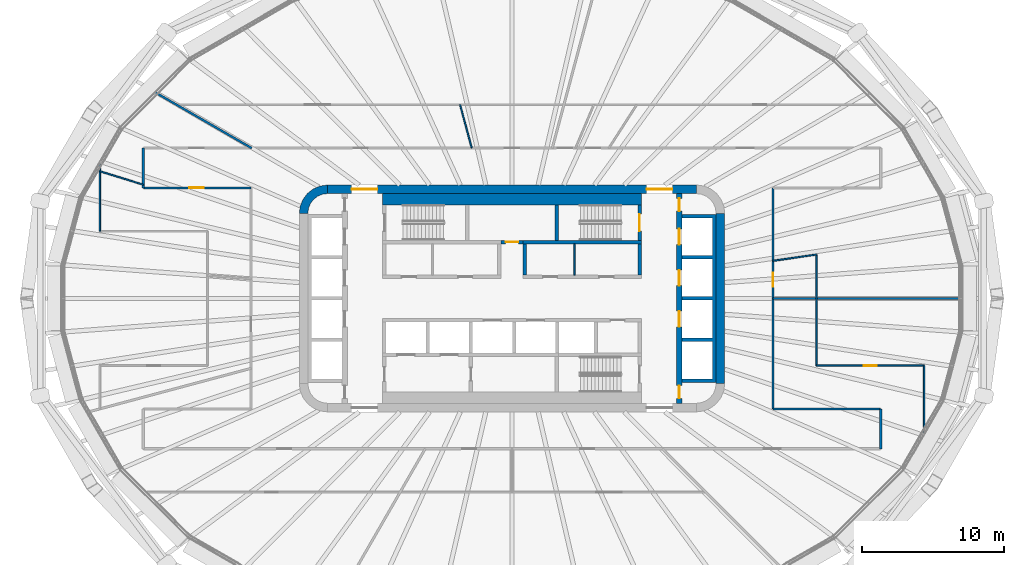
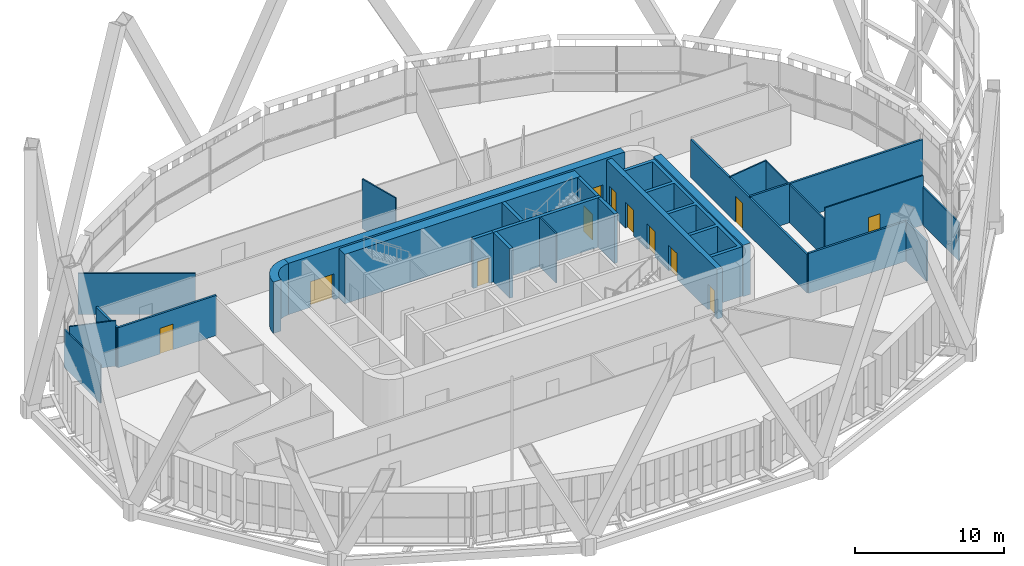
# One storey, part 17 of 26: 27 walls, 12 doors, 12 openings.
"""IFC4 building model written with IfcOpenShell, lengths in metres."""

from ifc_helpers import new_model, si_unit, direction, frame, frame_2d, origin, place, context, subcontext, project, spatial, polyline, rectangle, outline, extrude, material, layer, layer_set, type_object, element, fill, save


model = new_model("IFC4")

# Units and contexts
model_context = context("Model", 3, precision=1e-05, world=origin(), true_north=direction((0.0, 1.0)))
body_context = subcontext(model_context, "Body", "Model", "MODEL_VIEW")
ifc_project = project(units=[si_unit("LENGTHUNIT", "METRE"), si_unit("AREAUNIT", "SQUARE_METRE"), si_unit("VOLUMEUNIT", "CUBIC_METRE"), si_unit("PLANEANGLEUNIT", "RADIAN"), si_unit("MASSUNIT", "GRAM", prefix="KILO")], contexts=[model_context])

# Site, building, storey
site_placement = place(None, origin())
site = spatial("IfcSite", under=ifc_project, at=site_placement, CompositionType="ELEMENT")
building_placement = place(site_placement, origin())
building = spatial("IfcBuilding", under=site, at=building_placement, Name="Sahrelin Media Tower", CompositionType="ELEMENT")
storey_placement = place(building_placement, frame((0.0, 0.0, 131.39990234375)))
storey = spatial("IfcBuildingStorey", under=building, at=storey_placement, Name="L26", CompositionType="ELEMENT", Elevation=131.39990234375)

# Wall, openings, doors
ifc_material_1 = material(Name="Concrete C60/75", Category="concrete")
ifc_layer_1 = layer(ifc_material_1, 0.60009765625)
ifc_layer_set_1 = layer_set([ifc_layer_1], Name="Core wall 600")
wall_type_1 = type_object("IfcWallType", Name="Core wall 600", PredefinedType="SHEAR", material=ifc_layer_set_1)
wall_1_placement = place(storey_placement, frame((-13.0, 7.699951171875, 0.0), z_axis=(0.0, 0.0, 1.0), x_axis=(1.0, 0.0, 0.0)))
wall_1 = element("IfcWall", 1, at=wall_1_placement, inside=storey, type_object=wall_type_1, Name="Core wall N L26", PredefinedType="SHEAR", context=body_context, shape_type="SweptSolid", body=[
    extrude(rectangle(XDim=26.0, YDim=0.60009765625, at=frame_2d((13.0, 0.0))), origin(), (0.0, 0.0, 1.0), 4.2001953125),
])
opening_1_placement = place(wall_1_placement, frame((1.699951171875, 0.0, 0.0)))
opening_1 = element("IfcOpeningElement", 2, at=opening_1_placement, cuts=wall_1, Name="Opening L26-D16", PredefinedType="OPENING", context=body_context, shape_type="SweptSolid", body=[
    extrude(rectangle(XDim=1.800048828125, YDim=2.10009765625, at=frame_2d((0.89990234375, 1.050048828125))), frame((0.0, 0.300048828125, 0.0), z_axis=(0.0, -1.0, 0.0), x_axis=(1.0, 0.0, 0.0)), (0.0, 0.0, 1.0), 0.60009765625),
])
opening_2_placement = place(wall_1_placement, frame((22.5, 0.0, 0.0)))
opening_2 = element("IfcOpeningElement", 3, at=opening_2_placement, cuts=wall_1, Name="Opening L26-D17", PredefinedType="OPENING", context=body_context, shape_type="SweptSolid", body=[
    extrude(rectangle(XDim=1.800048828125, YDim=2.10009765625, at=frame_2d((0.89990234375, 1.050048828125))), frame((0.0, 0.300048828125, 0.0), z_axis=(0.0, -1.0, 0.0), x_axis=(1.0, 0.0, 0.0)), (0.0, 0.0, 1.0), 0.60009765625),
])
ifc_material_2 = material(Name="Steel fire door leaf", Category="steel")
door_type_1 = type_object("IfcDoorType", Name="Lobby double door 1800 x 2100 EI 60", OperationType="DOUBLE_DOOR_SINGLE_SWING", PredefinedType="DOOR", material=ifc_material_2)
door_1_placement = place(opening_1_placement, origin())
door_1 = element("IfcDoor", 4, at=door_1_placement, inside=storey, type_object=door_type_1, Name="Lobby door", OperationType="DOUBLE_DOOR_SINGLE_SWING", OverallHeight=2.10009765625, OverallWidth=1.800048828125, PredefinedType="DOOR", context=body_context, shape_type="SweptSolid", body=[
    extrude(rectangle(XDim=1.800048828125, YDim=2.10009765625, at=frame_2d((0.89990234375, 1.050048828125))), frame((0.0, 0.02490234375, 0.0), z_axis=(0.0, -1.0, 0.0), x_axis=(1.0, 0.0, 0.0)), (0.0, 0.0, 1.0), 0.050048828125),
])
fill(opening_1, door_1)
door_2_placement = place(opening_2_placement, origin())
door_2 = element("IfcDoor", 5, at=door_2_placement, inside=storey, type_object=door_type_1, Name="Lobby door", OperationType="DOUBLE_DOOR_SINGLE_SWING", OverallHeight=2.10009765625, OverallWidth=1.800048828125, PredefinedType="DOOR", context=body_context, shape_type="SweptSolid", body=[
    extrude(rectangle(XDim=1.800048828125, YDim=2.10009765625, at=frame_2d((0.89990234375, 1.050048828125))), frame((0.0, 0.02490234375, 0.0), z_axis=(0.0, -1.0, 0.0), x_axis=(1.0, 0.0, 0.0)), (0.0, 0.0, 1.0), 0.050048828125),
])
fill(opening_2, door_2)

# Walls
wall_2_placement = place(storey_placement, frame((14.699951171875, -6.0, 0.0), z_axis=(0.0, 0.0, 1.0), x_axis=(0.0, 1.0, 0.0)))
element("IfcWall", 6, at=wall_2_placement, inside=storey, type_object=wall_type_1, Name="Core wall E L26", PredefinedType="SHEAR", context=body_context, shape_type="SweptSolid", body=[
    extrude(rectangle(XDim=12.0, YDim=0.60009765625, at=frame_2d((6.0, 0.0))), origin(), (0.0, 0.0, 1.0), 4.2001953125),
])
placement = place(storey_placement, origin())
element("IfcWall", 7, at=placement, inside=storey, type_object=wall_type_1, Name="Core wall corner NW L26", PredefinedType="SHEAR", context=body_context, shape_type="SweptSolid", body=[
    extrude(outline(polyline([(-15.0, 6.0), (-14.394775390625, 6.0), (-14.347412109375, 6.361083984375), (-14.2080078125, 6.697509765625), (-13.986328125, 6.986328125), (-13.697509765625, 7.2080078125), (-13.361083984375, 7.347412109375), (-13.0, 7.394775390625), (-13.0, 8.0), (-13.517578125, 7.931884765625), (-14.0, 7.732177734375), (-14.414306640625, 7.414306640625), (-14.732177734375, 7.0), (-14.931884765625, 6.517578125), (-15.0, 6.0)])), origin(), (0.0, 0.0, 1.0), 4.2001953125),
])

# Wall, opening, door
ifc_material_3 = material(Name="Fire-rated gypsum board partition")
ifc_layer_2 = layer(ifc_material_3, 0.25)
ifc_layer_set_2 = layer_set([ifc_layer_2], Name="Fire-rated lobby wall 250")
wall_type_2 = type_object("IfcWallType", Name="Fire-rated lobby wall 250", PredefinedType="PARTITIONING", material=ifc_layer_set_2)
wall_4_placement = place(storey_placement, frame((-0.77490234375, 3.97509765625, 0.0), z_axis=(0.0, 0.0, 1.0), x_axis=(1.0, 0.0, 0.0)))
wall_4 = element("IfcWall", 8, at=wall_4_placement, inside=storey, type_object=wall_type_2, Name="Core lobby wall", PredefinedType="PARTITIONING", context=body_context, shape_type="SweptSolid", body=[
    extrude(rectangle(XDim=1.5498046875, YDim=0.25, at=frame_2d((0.77490234375, 0.0))), origin(), (0.0, 0.0, 1.0), 4.050048828125),
])
opening_3_placement = place(wall_4_placement, frame((0.324951171875, 0.0, 0.0)))
opening_3 = element("IfcOpeningElement", 9, at=opening_3_placement, cuts=wall_4, Name="Opening L26-D06", PredefinedType="OPENING", context=body_context, shape_type="SweptSolid", body=[
    extrude(rectangle(XDim=0.89990234375, YDim=2.10009765625, at=frame_2d((0.449951171875, 1.050048828125))), frame((0.0, 0.125, 0.0), z_axis=(0.0, -1.0, 0.0), x_axis=(1.0, 0.0, 0.0)), (0.0, 0.0, 1.0), 0.25),
])
door_type_2 = type_object("IfcDoorType", Name="Riser door 900 x 2100 EI 120", OperationType="NOTDEFINED", PredefinedType="DOOR", material=ifc_material_2)
door_3_placement = place(opening_3_placement, origin())
door_3 = element("IfcDoor", 10, at=door_3_placement, inside=storey, type_object=door_type_2, Name="Core room door", OperationType="SINGLE_SWING_LEFT", OverallHeight=2.10009765625, OverallWidth=0.89990234375, PredefinedType="DOOR", context=body_context, shape_type="SweptSolid", body=[
    extrude(rectangle(XDim=0.89990234375, YDim=2.10009765625, at=frame_2d((0.449951171875, 1.050048828125))), frame((0.0, 0.02490234375, 0.0), z_axis=(0.0, -1.0, 0.0), x_axis=(1.0, 0.0, 0.0)), (0.0, 0.0, 1.0), 0.050048828125),
])
fill(opening_3, door_3)

# Walls
for number, where, z_axis, x_axis, name in (
    (11, (9.0, 1.64990234375, 0.0), (0.0, 0.0, 1.0), (0.0, 1.0, 0.0), "Core lobby wall"),
    (12, (0.89990234375, 1.64990234375, 0.0), (0.0, 0.0, 1.0), (0.0, 1.0, 0.0), "Core lobby wall"),
):
    element("IfcWall", number, at=place(storey_placement, frame(where, z_axis=z_axis, x_axis=x_axis)), inside=storey, type_object=wall_type_2, Name=name, PredefinedType="PARTITIONING", context=body_context, shape_type="SweptSolid", body=[
        extrude(rectangle(XDim=2.2001953125, YDim=0.25, at=frame_2d((1.10009765625, 0.0))), origin(), (0.0, 0.0, 1.0), 4.050048828125),
    ])
ifc_layer_3 = layer(ifc_material_3, 0.10009765625)
ifc_layer_set_3 = layer_set([ifc_layer_3], Name="Fire-rated partition 100")
wall_type_3 = type_object("IfcWallType", Name="Fire-rated partition 100", PredefinedType="PARTITIONING", material=ifc_layer_set_3)
wall_5_placement = place(storey_placement, frame((4.39990234375, 1.64990234375, 0.0), z_axis=(0.0, 0.0, 1.0), x_axis=(0.0, 1.0, 0.0)))
element("IfcWall", 13, at=wall_5_placement, inside=storey, type_object=wall_type_3, Name="Core room partition", PredefinedType="PARTITIONING", context=body_context, shape_type="SweptSolid", body=[
    extrude(rectangle(XDim=2.2001953125, YDim=0.10009765625, at=frame_2d((1.10009765625, 0.0))), origin(), (0.0, 0.0, 1.0), 4.050048828125),
])
ifc_layer_4 = layer(ifc_material_3, 0.14990234375)
ifc_layer_set_4 = layer_set([ifc_layer_4], Name="Fire-rated partition 150")
wall_type_4 = type_object("IfcWallType", Name="Fire-rated partition 150", PredefinedType="PARTITIONING", material=ifc_layer_set_4)
wall_6_placement = place(storey_placement, frame((-25.166015625, 14.530029296875, 0.0), z_axis=(0.0, 0.0, 1.0), x_axis=(0.866034552186, -0.499984154169, 0.0)))
element("IfcWall", 14, at=wall_6_placement, inside=storey, type_object=wall_type_4, Name="Wall", PredefinedType="PARTITIONING", context=body_context, shape_type="SweptSolid", body=[
    extrude(rectangle(XDim=7.860107421875, YDim=0.14990234375, at=frame_2d((3.93017578125, 0.0))), origin(), (0.0, 0.0, 1.0), 3.35205078125),
])
wall_7_placement = place(storey_placement, frame((18.39990234375, -7.800048828125, 0.0), z_axis=(0.0, 0.0, 1.0), x_axis=(1.0, 0.0, 0.0)))
element("IfcWall", 15, at=wall_7_placement, inside=storey, type_object=wall_type_4, Name="Wall", PredefinedType="PARTITIONING", context=body_context, shape_type="SweptSolid", body=[
    extrude(rectangle(XDim=7.60009765625, YDim=0.14990234375, at=frame_2d((3.800048828125, 0.0))), origin(), (0.0, 0.0, 1.0), 3.276123046875),
])
wall_8_placement = place(storey_placement, frame((18.39990234375, 0.0, 0.0), z_axis=(0.0, 0.0, 1.0), x_axis=(1.0, 0.0, 0.0)))
element("IfcWall", 16, at=wall_8_placement, inside=storey, type_object=wall_type_4, Name="Wall", PredefinedType="PARTITIONING", context=body_context, shape_type="SweptSolid", body=[
    extrude(rectangle(XDim=13.34912109375, YDim=0.14990234375, at=frame_2d((6.674560546875, 0.0))), origin(), (0.0, 0.0, 1.0), 3.195068359375),
])

# Wall, opening, door
wall_9_placement = place(storey_placement, frame((-26.0, 7.800048828125, 0.0), z_axis=(0.0, 0.0, 1.0), x_axis=(1.0, 0.0, 0.0)))
wall_9 = element("IfcWall", 17, at=wall_9_placement, inside=storey, type_object=wall_type_4, Name="Wall", PredefinedType="PARTITIONING", context=body_context, shape_type="SweptSolid", body=[
    extrude(rectangle(XDim=7.60009765625, YDim=0.14990234375, at=frame_2d((3.800048828125, 0.0))), origin(), (0.0, 0.0, 1.0), 3.276123046875),
])
opening_4_placement = place(wall_9_placement, frame((3.2490234375, 0.0, 0.0)))
opening_4 = element("IfcOpeningElement", 18, at=opening_4_placement, cuts=wall_9, Name="Opening L26-D34", PredefinedType="OPENING", context=body_context, shape_type="SweptSolid", body=[
    extrude(rectangle(XDim=1.0, YDim=2.10009765625, at=frame_2d((0.5, 1.050048828125))), frame((0.0, 0.074951171875, 0.0), z_axis=(0.0, -1.0, 0.0), x_axis=(1.0, 0.0, 0.0)), (0.0, 0.0, 1.0), 0.14990234375),
])
door_type_3 = type_object("IfcDoorType", Name="Fire door 1000 x 2100 EI 60", OperationType="NOTDEFINED", PredefinedType="DOOR", material=ifc_material_2)
door_4_placement = place(opening_4_placement, origin())
door_4 = element("IfcDoor", 19, at=door_4_placement, inside=storey, type_object=door_type_3, Name="Fire door", OperationType="SINGLE_SWING_LEFT", OverallHeight=2.10009765625, OverallWidth=1.0, PredefinedType="DOOR", context=body_context, shape_type="SweptSolid", body=[
    extrude(rectangle(XDim=1.0, YDim=2.10009765625, at=frame_2d((0.5, 1.050048828125))), frame((0.0, 0.02490234375, 0.0), z_axis=(0.0, -1.0, 0.0), x_axis=(1.0, 0.0, 0.0)), (0.0, 0.0, 1.0), 0.050048828125),
])
fill(opening_4, door_4)

# Wall
wall_10_placement = place(storey_placement, frame((26.0, -10.60009765625, 0.0), z_axis=(0.0, 0.0, 1.0), x_axis=(0.0, 1.0, 0.0)))
element("IfcWall", 20, at=wall_10_placement, inside=storey, type_object=wall_type_4, Name="Wall", PredefinedType="PARTITIONING", context=body_context, shape_type="SweptSolid", body=[
    extrude(rectangle(XDim=2.800048828125, YDim=0.14990234375, at=frame_2d((1.39990234375, 0.0))), origin(), (0.0, 0.0, 1.0), 3.276123046875),
])

# Wall, opening, door
wall_11_placement = place(storey_placement, frame((18.39990234375, -7.800048828125, 0.0), z_axis=(0.0, 0.0, 1.0), x_axis=(0.0, 1.0, 0.0)))
wall_11 = element("IfcWall", 21, at=wall_11_placement, inside=storey, type_object=wall_type_4, Name="Wall", PredefinedType="PARTITIONING", context=body_context, shape_type="SweptSolid", body=[
    extrude(rectangle(XDim=15.60009765625, YDim=0.14990234375, at=frame_2d((7.800048828125, 0.0))), origin(), (0.0, 0.0, 1.0), 3.127197265625),
])
opening_5_placement = place(wall_11_placement, frame((8.62646484375, 0.0, 0.0)))
opening_5 = element("IfcOpeningElement", 22, at=opening_5_placement, cuts=wall_11, Name="Opening L26-D25", PredefinedType="OPENING", context=body_context, shape_type="SweptSolid", body=[
    extrude(rectangle(XDim=1.0, YDim=2.10009765625, at=frame_2d((0.5, 1.050048828125))), frame((0.0, 0.074951171875, 0.0), z_axis=(0.0, -1.0, 0.0), x_axis=(1.0, 0.0, 0.0)), (0.0, 0.0, 1.0), 0.14990234375),
])
door_5_placement = place(opening_5_placement, origin())
door_5 = element("IfcDoor", 23, at=door_5_placement, inside=storey, type_object=door_type_3, Name="Fire door", OperationType="SINGLE_SWING_LEFT", OverallHeight=2.10009765625, OverallWidth=1.0, PredefinedType="DOOR", context=body_context, shape_type="SweptSolid", body=[
    extrude(rectangle(XDim=1.0, YDim=2.10009765625, at=frame_2d((0.5, 1.050048828125))), frame((0.0, 0.02490234375, 0.0), z_axis=(0.0, -1.0, 0.0), x_axis=(1.0, 0.0, 0.0)), (0.0, 0.0, 1.0), 0.050048828125),
])
fill(opening_5, door_5)

# Walls
wall_12_placement = place(storey_placement, frame((-26.0, 7.800048828125, 0.0), z_axis=(0.0, 0.0, 1.0), x_axis=(0.0, 1.0, 0.0)))
element("IfcWall", 24, at=wall_12_placement, inside=storey, type_object=wall_type_4, Name="Wall", PredefinedType="PARTITIONING", context=body_context, shape_type="SweptSolid", body=[
    extrude(rectangle(XDim=2.800048828125, YDim=0.14990234375, at=frame_2d((1.39990234375, 0.0))), origin(), (0.0, 0.0, 1.0), 3.276123046875),
])
ifc_layer_5 = layer(ifc_material_1, 0.25)
ifc_layer_set_5 = layer_set([ifc_layer_5], Name="Lift shaft wall 250")
wall_type_5 = type_object("IfcWallType", Name="Lift shaft wall 250", PredefinedType="SOLIDWALL", material=ifc_layer_set_5)
element("IfcWall", 25, at=placement, inside=storey, type_object=wall_type_5, Name="Lift shaft wall", PredefinedType="SOLIDWALL", context=body_context, shape_type="SweptSolid", body=[
    extrude(outline(polyline([(12.0, -5.675048828125), (12.0, -5.925048828125), (14.14990234375, -5.925048828125), (14.39990234375, -5.925048828125), (14.39990234375, -5.675048828125), (14.39990234375, -3.02490234375), (14.39990234375, -2.77490234375), (14.39990234375, -0.125), (14.39990234375, 0.125), (14.39990234375, 2.77490234375), (14.39990234375, 3.02490234375), (14.39990234375, 5.675048828125), (14.39990234375, 5.925048828125), (14.14990234375, 5.925048828125), (12.0, 5.925048828125), (12.0, 5.675048828125), (14.14990234375, 5.675048828125), (14.14990234375, 3.02490234375), (12.0, 3.02490234375), (12.0, 2.77490234375), (14.14990234375, 2.77490234375), (14.14990234375, 0.125), (12.0, 0.125), (12.0, -0.125), (14.14990234375, -0.125), (14.14990234375, -2.77490234375), (12.0, -2.77490234375), (12.0, -3.02490234375), (14.14990234375, -3.02490234375), (14.14990234375, -5.675048828125), (12.0, -5.675048828125)])), origin(), (0.0, 0.0, 1.0), 4.050048828125),
])

# Wall, openings, doors
ifc_layer_6 = layer(ifc_material_1, 0.39990234375)
ifc_layer_set_6 = layer_set([ifc_layer_6], Name="Lift shaft wall 400")
wall_type_6 = type_object("IfcWallType", Name="Lift shaft wall 400", PredefinedType="SOLIDWALL", material=ifc_layer_set_6)
wall_14_placement = place(storey_placement, frame((11.800048828125, -7.39990234375, 0.0), z_axis=(0.0, 0.0, 1.0), x_axis=(0.0, 1.0, 0.0)))
wall_14 = element("IfcWall", 26, at=wall_14_placement, inside=storey, type_object=wall_type_6, Name="Lift shaft wall", PredefinedType="SOLIDWALL", context=body_context, shape_type="SweptSolid", body=[
    extrude(rectangle(XDim=14.7998046875, YDim=0.39990234375, at=frame_2d((7.39990234375, 0.0))), origin(), (0.0, 0.0, 1.0), 4.050048828125),
])
opening_6_placement = place(wall_14_placement, frame((11.199951171875, 0.0, 0.0)))
opening_6 = element("IfcOpeningElement", 27, at=opening_6_placement, cuts=wall_14, Name="Opening L26-LD-LR4", PredefinedType="OPENING", context=body_context, shape_type="SweptSolid", body=[
    extrude(rectangle(XDim=1.10009765625, YDim=2.10009765625, at=frame_2d((0.550048828125, 1.050048828125))), frame((0.0, 0.199951171875, 0.0), z_axis=(0.0, -1.0, 0.0), x_axis=(1.0, 0.0, 0.0)), (0.0, 0.0, 1.0), 0.39990234375),
])
opening_7_placement = place(wall_14_placement, frame((8.300048828125, 0.0, 0.0)))
opening_7 = element("IfcOpeningElement", 28, at=opening_7_placement, cuts=wall_14, Name="Opening L26-LD-LR5", PredefinedType="OPENING", context=body_context, shape_type="SweptSolid", body=[
    extrude(rectangle(XDim=1.10009765625, YDim=2.10009765625, at=frame_2d((0.550048828125, 1.050048828125))), frame((0.0, 0.199951171875, 0.0), z_axis=(0.0, -1.0, 0.0), x_axis=(1.0, 0.0, 0.0)), (0.0, 0.0, 1.0), 0.39990234375),
])
opening_8_placement = place(wall_14_placement, frame((5.39990234375, 0.0, 0.0)))
opening_8 = element("IfcOpeningElement", 29, at=opening_8_placement, cuts=wall_14, Name="Opening L26-LD-LR6", PredefinedType="OPENING", context=body_context, shape_type="SweptSolid", body=[
    extrude(rectangle(XDim=1.10009765625, YDim=2.10009765625, at=frame_2d((0.550048828125, 1.050048828125))), frame((0.0, 0.199951171875, 0.0), z_axis=(0.0, -1.0, 0.0), x_axis=(1.0, 0.0, 0.0)), (0.0, 0.0, 1.0), 0.39990234375),
])
opening_9_placement = place(wall_14_placement, frame((13.552490234375, 0.0, 0.0)))
opening_9 = element("IfcOpeningElement", 30, at=opening_9_placement, cuts=wall_14, Name="Opening L26-D14", PredefinedType="OPENING", context=body_context, shape_type="SweptSolid", body=[
    extrude(rectangle(XDim=0.89990234375, YDim=2.10009765625, at=frame_2d((0.449951171875, 1.050048828125))), frame((0.0, 0.199951171875, 0.0), z_axis=(0.0, -1.0, 0.0), x_axis=(1.0, 0.0, 0.0)), (0.0, 0.0, 1.0), 0.39990234375),
])
opening_10_placement = place(wall_14_placement, frame((0.347412109375, 0.0, 0.0)))
opening_10 = element("IfcOpeningElement", 31, at=opening_10_placement, cuts=wall_14, Name="Opening L26-D15", PredefinedType="OPENING", context=body_context, shape_type="SweptSolid", body=[
    extrude(rectangle(XDim=0.89990234375, YDim=2.10009765625, at=frame_2d((0.449951171875, 1.050048828125))), frame((0.0, 0.199951171875, 0.0), z_axis=(0.0, -1.0, 0.0), x_axis=(1.0, 0.0, 0.0)), (0.0, 0.0, 1.0), 0.39990234375),
])
ifc_material_4 = material(Name="Stainless steel", Category="steel")
door_type_4 = type_object("IfcDoorType", Name="Lift landing door 1100 x 2100 EI 120", OperationType="DOUBLE_DOOR_SLIDING", PredefinedType="DOOR", material=ifc_material_4)
door_6_placement = place(opening_6_placement, origin())
door_6 = element("IfcDoor", 32, at=door_6_placement, inside=storey, type_object=door_type_4, Name="Lift landing door LR4", OperationType="DOUBLE_DOOR_SLIDING", OverallHeight=2.10009765625, OverallWidth=1.10009765625, PredefinedType="DOOR", context=body_context, shape_type="SweptSolid", body=[
    extrude(rectangle(XDim=1.10009765625, YDim=2.10009765625, at=frame_2d((0.550048828125, 1.050048828125))), frame((0.0, 0.02490234375, 0.0), z_axis=(0.0, -1.0, 0.0), x_axis=(1.0, 0.0, 0.0)), (0.0, 0.0, 1.0), 0.050048828125),
])
fill(opening_6, door_6)
door_7_placement = place(opening_7_placement, origin())
door_7 = element("IfcDoor", 33, at=door_7_placement, inside=storey, type_object=door_type_4, Name="Lift landing door LR5", OperationType="DOUBLE_DOOR_SLIDING", OverallHeight=2.10009765625, OverallWidth=1.10009765625, PredefinedType="DOOR", context=body_context, shape_type="SweptSolid", body=[
    extrude(rectangle(XDim=1.10009765625, YDim=2.10009765625, at=frame_2d((0.550048828125, 1.050048828125))), frame((0.0, 0.02490234375, 0.0), z_axis=(0.0, -1.0, 0.0), x_axis=(1.0, 0.0, 0.0)), (0.0, 0.0, 1.0), 0.050048828125),
])
fill(opening_7, door_7)
door_8_placement = place(opening_8_placement, origin())
door_8 = element("IfcDoor", 34, at=door_8_placement, inside=storey, type_object=door_type_4, Name="Lift landing door LR6", OperationType="DOUBLE_DOOR_SLIDING", OverallHeight=2.10009765625, OverallWidth=1.10009765625, PredefinedType="DOOR", context=body_context, shape_type="SweptSolid", body=[
    extrude(rectangle(XDim=1.10009765625, YDim=2.10009765625, at=frame_2d((0.550048828125, 1.050048828125))), frame((0.0, 0.02490234375, 0.0), z_axis=(0.0, -1.0, 0.0), x_axis=(1.0, 0.0, 0.0)), (0.0, 0.0, 1.0), 0.050048828125),
])
fill(opening_8, door_8)
door_9_placement = place(opening_9_placement, origin())
door_9 = element("IfcDoor", 35, at=door_9_placement, inside=storey, type_object=door_type_2, Name="Riser door", OperationType="SINGLE_SWING_RIGHT", OverallHeight=2.10009765625, OverallWidth=0.89990234375, PredefinedType="DOOR", context=body_context, shape_type="SweptSolid", body=[
    extrude(rectangle(XDim=0.89990234375, YDim=2.10009765625, at=frame_2d((0.449951171875, 1.050048828125))), frame((0.0, 0.02490234375, 0.0), z_axis=(0.0, -1.0, 0.0), x_axis=(1.0, 0.0, 0.0)), (0.0, 0.0, 1.0), 0.050048828125),
])
fill(opening_9, door_9)
door_10_placement = place(opening_10_placement, origin())
door_10 = element("IfcDoor", 36, at=door_10_placement, inside=storey, type_object=door_type_2, Name="Riser door", OperationType="SINGLE_SWING_RIGHT", OverallHeight=2.10009765625, OverallWidth=0.89990234375, PredefinedType="DOOR", context=body_context, shape_type="SweptSolid", body=[
    extrude(rectangle(XDim=0.89990234375, YDim=2.10009765625, at=frame_2d((0.449951171875, 1.050048828125))), frame((0.0, 0.02490234375, 0.0), z_axis=(0.0, -1.0, 0.0), x_axis=(1.0, 0.0, 0.0)), (0.0, 0.0, 1.0), 0.050048828125),
])
fill(opening_10, door_10)

# Walls
ifc_material_5 = material(Name="Gypsum board partition")
ifc_layer_7 = layer(ifc_material_5, 0.10009765625)
ifc_layer_set_7 = layer_set([ifc_layer_7], Name="Partition 100")
wall_type_7 = type_object("IfcWallType", Name="Partition 100", PredefinedType="PARTITIONING", material=ifc_layer_set_7)
wall_15_placement = place(storey_placement, frame((-3.659912109375, 13.659912109375, 0.0), z_axis=(0.0, 0.0, 1.0), x_axis=(0.258804143637, -0.965929819001, 0.0)))
element("IfcWall", 37, at=wall_15_placement, inside=storey, type_object=wall_type_7, Name="Wall", PredefinedType="PARTITIONING", context=body_context, shape_type="SweptSolid", body=[
    extrude(rectangle(XDim=3.167724609375, YDim=0.10009765625, at=frame_2d((1.583984375, 0.0))), origin(), (0.0, 0.0, 1.0), 4.050048828125),
])
wall_16_placement = place(storey_placement, frame((-29.06005859375, 8.964111328125, 0.0), z_axis=(0.0, 0.0, 1.0), x_axis=(0.955556205091, -0.294808987162, 0.0)))
element("IfcWall", 38, at=wall_16_placement, inside=storey, type_object=wall_type_7, Name="Wall", PredefinedType="PARTITIONING", context=body_context, shape_type="SweptSolid", body=[
    extrude(rectangle(XDim=3.202392578125, YDim=0.10009765625, at=frame_2d((1.60107421875, 0.0))), origin(), (0.0, 0.0, 1.0), 3.726806640625),
])

# Wall, opening, door
wall_17_placement = place(storey_placement, frame((21.4599609375, -4.739990234375, 0.0), z_axis=(0.0, 0.0, 1.0), x_axis=(1.0, 0.0, 0.0)))
wall_17 = element("IfcWall", 39, at=wall_17_placement, inside=storey, type_object=wall_type_7, Name="Wall", PredefinedType="PARTITIONING", context=body_context, shape_type="SweptSolid", body=[
    extrude(rectangle(XDim=7.60009765625, YDim=0.10009765625, at=frame_2d((3.800048828125, 0.0))), origin(), (0.0, 0.0, 1.0), 4.050048828125),
])
opening_11_placement = place(wall_17_placement, frame((3.35009765625, 0.0, 0.0)))
opening_11 = element("IfcOpeningElement", 40, at=opening_11_placement, cuts=wall_17, Name="Opening L26-D24", PredefinedType="OPENING", context=body_context, shape_type="SweptSolid", body=[
    extrude(rectangle(XDim=0.89990234375, YDim=2.10009765625, at=frame_2d((0.449951171875, 1.050048828125))), frame((0.0, 0.050048828125, 0.0), z_axis=(0.0, -1.0, 0.0), x_axis=(1.0, 0.0, 0.0)), (0.0, 0.0, 1.0), 0.10009765625),
])
ifc_material_6 = material(Name="Timber door leaf", Category="wood")
door_type_5 = type_object("IfcDoorType", Name="Single door 900 x 2100", OperationType="NOTDEFINED", PredefinedType="DOOR", material=ifc_material_6)
door_11_placement = place(opening_11_placement, origin())
door_11 = element("IfcDoor", 41, at=door_11_placement, inside=storey, type_object=door_type_5, Name="Single door", OperationType="SINGLE_SWING_LEFT", OverallHeight=2.10009765625, OverallWidth=0.89990234375, PredefinedType="DOOR", context=body_context, shape_type="SweptSolid", body=[
    extrude(rectangle(XDim=0.89990234375, YDim=2.10009765625, at=frame_2d((0.449951171875, 1.050048828125))), frame((0.0, 0.02490234375, 0.0), z_axis=(0.0, -1.0, 0.0), x_axis=(1.0, 0.0, 0.0)), (0.0, 0.0, 1.0), 0.050048828125),
])
fill(opening_11, door_11)

# Walls
wall_18_placement = place(storey_placement, frame((18.39990234375, 2.653076171875, 0.0), z_axis=(0.0, 0.0, 1.0), x_axis=(0.989778203896, 0.142615241442, 0.0)))
element("IfcWall", 42, at=wall_18_placement, inside=storey, type_object=wall_type_7, Name="Wall", PredefinedType="PARTITIONING", context=body_context, shape_type="SweptSolid", body=[
    extrude(rectangle(XDim=3.091552734375, YDim=0.10009765625, at=frame_2d((1.5458984375, 0.0))), origin(), (0.0, 0.0, 1.0), 3.195068359375),
])
wall_19_placement = place(storey_placement, frame((29.06005859375, -9.597900390625, 0.0), z_axis=(0.0, 0.0, 1.0), x_axis=(0.0, 1.0, 0.0)))
element("IfcWall", 43, at=wall_19_placement, inside=storey, type_object=wall_type_7, Name="Wall", PredefinedType="PARTITIONING", context=body_context, shape_type="SweptSolid", body=[
    extrude(rectangle(XDim=4.85791015625, YDim=0.10009765625, at=frame_2d((2.428955078125, 0.0))), origin(), (0.0, 0.0, 1.0), 3.127197265625),
])
wall_20_placement = place(storey_placement, frame((21.4599609375, -4.739990234375, 0.0), z_axis=(0.0, 0.0, 1.0), x_axis=(0.0, 1.0, 0.0)))
element("IfcWall", 44, at=wall_20_placement, inside=storey, type_object=wall_type_7, Name="Wall", PredefinedType="PARTITIONING", context=body_context, shape_type="SweptSolid", body=[
    extrude(rectangle(XDim=7.833984375, YDim=0.10009765625, at=frame_2d((3.9169921875, 0.0))), origin(), (0.0, 0.0, 1.0), 3.127197265625),
])
wall_21_placement = place(storey_placement, frame((-29.06005859375, 4.739990234375, 0.0), z_axis=(0.0, 0.0, 1.0), x_axis=(0.0, 1.0, 0.0)))
element("IfcWall", 45, at=wall_21_placement, inside=storey, type_object=wall_type_7, Name="Wall", PredefinedType="PARTITIONING", context=body_context, shape_type="SweptSolid", body=[
    extrude(rectangle(XDim=4.85791015625, YDim=0.10009765625, at=frame_2d((2.428955078125, 0.0))), origin(), (0.0, 0.0, 1.0), 3.127197265625),
])

# Wall, opening, door
ifc_layer_8 = layer(ifc_material_1, 0.25)
ifc_layer_set_8 = layer_set([ifc_layer_8], Name="Stair enclosure wall 250")
wall_type_8 = type_object("IfcWallType", Name="Stair enclosure wall 250", PredefinedType="SOLIDWALL", material=ifc_layer_set_8)
wall_22_placement = place(storey_placement, frame((9.0, 4.10009765625, 0.0), z_axis=(0.0, 0.0, 1.0), x_axis=(0.0, 1.0, 0.0)))
wall_22 = element("IfcWall", 46, at=wall_22_placement, inside=storey, type_object=wall_type_8, Name="Stair enclosure wall", PredefinedType="SOLIDWALL", context=body_context, shape_type="SweptSolid", body=[
    extrude(rectangle(XDim=2.5, YDim=0.25, at=frame_2d((1.25, 0.0))), origin(), (0.0, 0.0, 1.0), 4.050048828125),
])
opening_12_placement = place(wall_22_placement, frame((0.64990234375, 0.0, 0.0)))
opening_12 = element("IfcOpeningElement", 47, at=opening_12_placement, cuts=wall_22, Name="Opening L26-D02", PredefinedType="OPENING", context=body_context, shape_type="SweptSolid", body=[
    extrude(rectangle(XDim=1.199951171875, YDim=2.10009765625, at=frame_2d((0.60009765625, 1.050048828125))), frame((0.0, 0.125, 0.0), z_axis=(0.0, -1.0, 0.0), x_axis=(1.0, 0.0, 0.0)), (0.0, 0.0, 1.0), 0.25),
])
door_type_6 = type_object("IfcDoorType", Name="Stair door 1200 x 2100 EI 120", OperationType="NOTDEFINED", PredefinedType="DOOR", material=ifc_material_2)
door_12_placement = place(opening_12_placement, origin())
door_12 = element("IfcDoor", 48, at=door_12_placement, inside=storey, type_object=door_type_6, Name="Stair door ST3", OperationType="SINGLE_SWING_LEFT", OverallHeight=2.10009765625, OverallWidth=1.199951171875, PredefinedType="DOOR", context=body_context, shape_type="SweptSolid", body=[
    extrude(rectangle(XDim=1.199951171875, YDim=2.10009765625, at=frame_2d((0.60009765625, 1.050048828125))), frame((0.0, 0.02490234375, 0.0), z_axis=(0.0, -1.0, 0.0), x_axis=(1.0, 0.0, 0.0)), (0.0, 0.0, 1.0), 0.050048828125),
])
fill(opening_12, door_12)

# Walls
wall_23_placement = place(storey_placement, frame((3.14990234375, 4.10009765625, 0.0), z_axis=(0.0, 0.0, 1.0), x_axis=(0.0, 1.0, 0.0)))
element("IfcWall", 49, at=wall_23_placement, inside=storey, type_object=wall_type_8, Name="Stair enclosure wall", PredefinedType="SOLIDWALL", context=body_context, shape_type="SweptSolid", body=[
    extrude(rectangle(XDim=2.5, YDim=0.25, at=frame_2d((1.25, 0.0))), origin(), (0.0, 0.0, 1.0), 4.050048828125),
])
wall_24_placement = place(storey_placement, frame((0.77490234375, 3.97509765625, 0.0), z_axis=(0.0, 0.0, 1.0), x_axis=(1.0, 0.0, 0.0)))
element("IfcWall", 50, at=wall_24_placement, inside=storey, type_object=wall_type_8, Name="Stair enclosure wall", PredefinedType="SOLIDWALL", context=body_context, shape_type="SweptSolid", body=[
    extrude(rectangle(XDim=8.35009765625, YDim=0.25, at=frame_2d((4.175048828125, 0.0))), origin(), (0.0, 0.0, 1.0), 4.050048828125),
])
ifc_layer_9 = layer(ifc_material_1, 0.800048828125)
ifc_layer_set_9 = layer_set([ifc_layer_9], Name="Stair enclosure wall 800")
wall_type_9 = type_object("IfcWallType", Name="Stair enclosure wall 800", PredefinedType="SOLIDWALL", material=ifc_layer_set_9)
wall_25_placement = place(storey_placement, frame((-9.125, 7.0, 0.0), z_axis=(0.0, 0.0, 1.0), x_axis=(1.0, 0.0, 0.0)))
element("IfcWall", 51, at=wall_25_placement, inside=storey, type_object=wall_type_9, Name="Stair enclosure wall", PredefinedType="SOLIDWALL", context=body_context, shape_type="SweptSolid", body=[
    extrude(rectangle(XDim=18.25, YDim=0.800048828125, at=frame_2d((9.125, 0.0))), origin(), (0.0, 0.0, 1.0), 4.050048828125),
])

save(model, "model.ifc")
